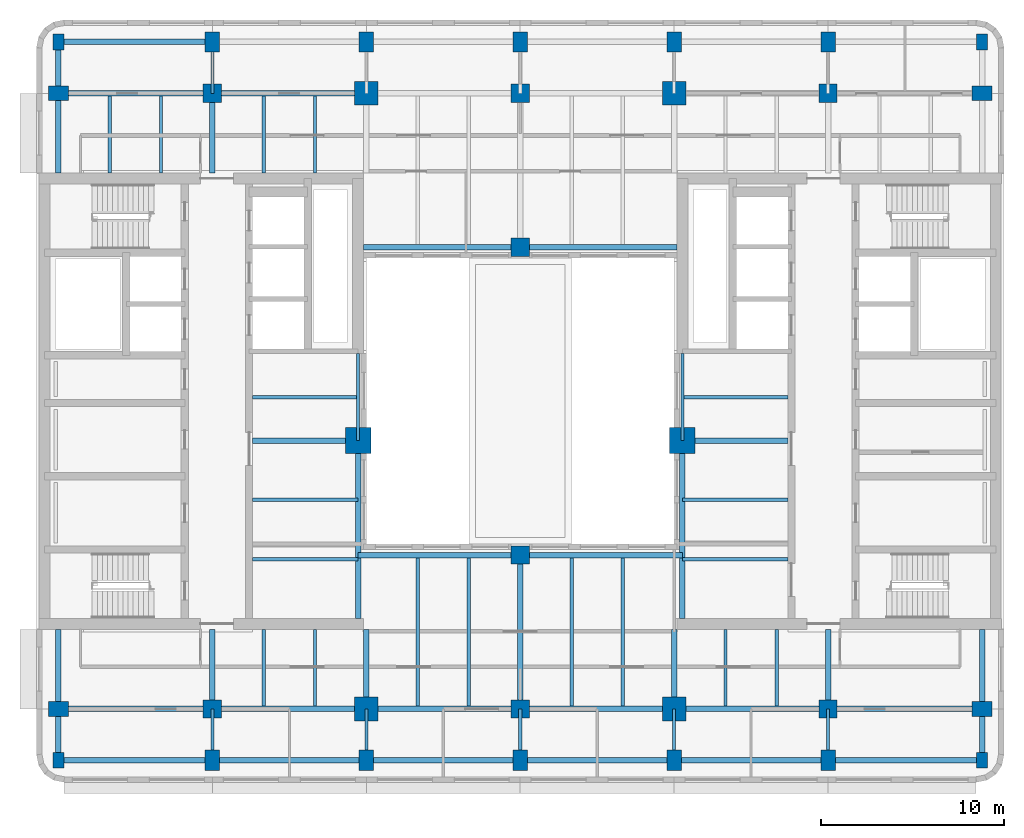
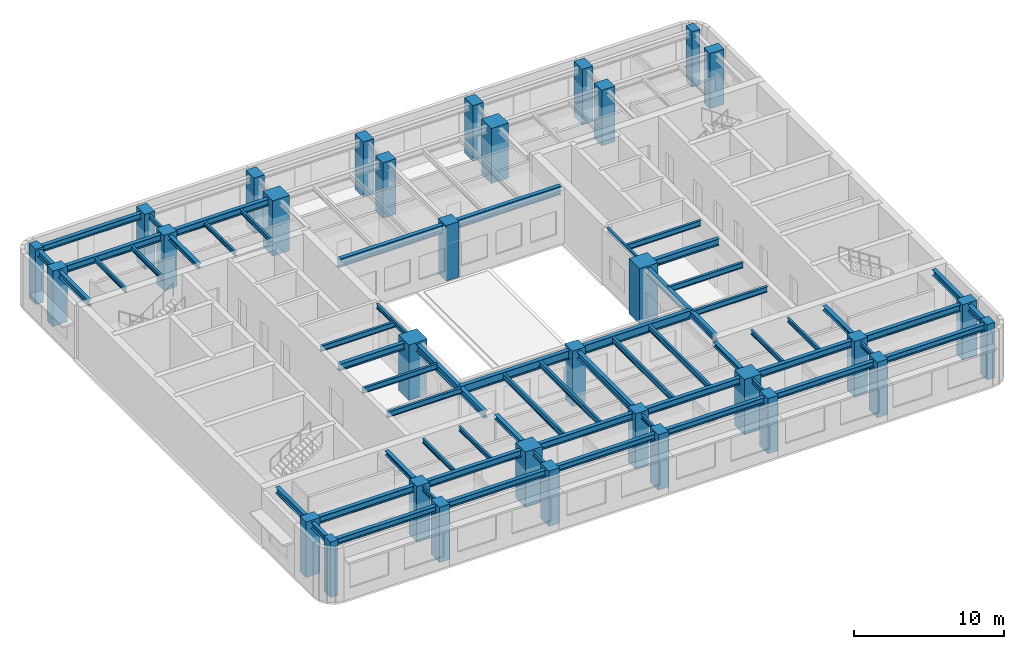
# One storey, part 1 of 11: 61 beams, 32 columns.
"""IFC4 building model written with IfcOpenShell, lengths in metres."""

from ifc_helpers import new_model, si_unit, direction, frame, origin, origin_2d, place, context, subcontext, project, spatial, rectangle, i_section, extrude, material, material_profile, profile_set, type_object, element, save


model = new_model("IFC4")

# Units and contexts
model_context = context("Model", 3, precision=1e-05, world=origin(), true_north=direction((0.0, 1.0)))
body_context = subcontext(model_context, "Body", "Model", "MODEL_VIEW")
ifc_project = project(units=[si_unit("LENGTHUNIT", "METRE"), si_unit("AREAUNIT", "SQUARE_METRE"), si_unit("VOLUMEUNIT", "CUBIC_METRE"), si_unit("PLANEANGLEUNIT", "RADIAN"), si_unit("MASSUNIT", "GRAM", prefix="KILO")], contexts=[model_context])

# Site, building, storey
site_placement = place(None, origin())
site = spatial("IfcSite", under=ifc_project, at=site_placement, CompositionType="ELEMENT")
building_placement = place(site_placement, origin())
building = spatial("IfcBuilding", under=site, at=building_placement, Name="Claustro Exchange Tower", CompositionType="ELEMENT")
storey_placement = place(building_placement, frame((0.0, 0.0, 254.699951171875)))
storey = spatial("IfcBuildingStorey", under=building, at=storey_placement, Name="L58", CompositionType="ELEMENT", Elevation=254.699951171875)

# Columns
ifc_material_1 = material(Name="Concrete HA-70 (C70/85)", Category="concrete")
ifc_material_profile_1 = material_profile(ifc_material_1, rectangle(XDim=1.39990234375, YDim=1.39990234375, at=origin_2d()), Name="RC 1400x1400")
ifc_profile_set_1 = profile_set([ifc_material_profile_1], Name="Concrete HA-70 (C70/85)")
column_type_1 = type_object("IfcColumnType", Name="C0 RC 1400x1400 HA-70 column", PredefinedType="COLUMN", material=ifc_profile_set_1)
for number, where, z_axis, x_axis, name in (
    (1, (16.35009765625, 23.050048828125, 0.0), (0.0, 0.0, 1.0), (1.0, 0.0, 0.0), "Column C0 2+7950/C+6250 L58"),
    (2, (34.050048828125, 23.050048828125, 0.0), (0.0, 0.0, 1.0), (1.0, 0.0, 0.0), "Column C0 5+450/C+6250 L58"),
):
    element("IfcColumn", number, at=place(storey_placement, frame(where, z_axis=z_axis, x_axis=x_axis)), inside=storey, type_object=column_type_1, Name=name, PredefinedType="COLUMN", context=body_context, shape_type="SweptSolid", body=[
        extrude(rectangle(XDim=1.39990234375, YDim=1.39990234375, at=origin_2d()), origin(), (0.0, 0.0, 1.0), 4.5),
    ])
ifc_material_2 = material(Name="Concrete HA-70 (C70/85)", Category="concrete")
ifc_material_profile_2 = material_profile(ifc_material_2, rectangle(XDim=1.0, YDim=1.0, at=origin_2d()), Name="RC 1000x1000")
ifc_profile_set_2 = profile_set([ifc_material_profile_2], Name="Concrete HA-70 (C70/85)")
column_type_2 = type_object("IfcColumnType", Name="C2 RC 1000x1000 HA-70 column", PredefinedType="COLUMN", material=ifc_profile_set_2)
for number, where, z_axis, x_axis, name in (
    (3, (8.39990234375, 8.39990234375, 0.0), (0.0, 0.0, 1.0), (1.0, 0.0, 0.0), "Column C2 2/B L58"),
    (4, (8.39990234375, 42.0, 0.0), (0.0, 0.0, 1.0), (1.0, 0.0, 0.0), "Column C2 2/F L58"),
    (5, (25.199951171875, 8.39990234375, 0.0), (0.0, 0.0, 1.0), (1.0, 0.0, 0.0), "Column C2 4/B L58"),
    (6, (25.199951171875, 42.0, 0.0), (0.0, 0.0, 1.0), (1.0, 0.0, 0.0), "Column C2 4/F L58"),
    (7, (25.199951171875, 16.800048828125, 0.0), (0.0, 0.0, 1.0), (1.0, 0.0, 0.0), "Column C2 4/C L58"),
    (8, (25.199951171875, 33.60009765625, 0.0), (0.0, 0.0, 1.0), (1.0, 0.0, 0.0), "Column C2 4/E L58"),
    (9, (42.0, 8.39990234375, 0.0), (0.0, 0.0, 1.0), (1.0, 0.0, 0.0), "Column C2 6/B L58"),
    (10, (42.0, 42.0, 0.0), (0.0, 0.0, 1.0), (1.0, 0.0, 0.0), "Column C2 6/F L58"),
):
    element("IfcColumn", number, at=place(storey_placement, frame(where, z_axis=z_axis, x_axis=x_axis)), inside=storey, type_object=column_type_2, Name=name, PredefinedType="COLUMN", context=body_context, shape_type="SweptSolid", body=[
        extrude(rectangle(XDim=1.0, YDim=1.0, at=origin_2d()), origin(), (0.0, 0.0, 1.0), 4.5),
    ])
ifc_material_3 = material(Name="Concrete HA-50 (C50/60)", Category="concrete")
ifc_material_profile_3 = material_profile(ifc_material_3, rectangle(XDim=0.800048828125, YDim=1.10009765625, at=origin_2d()), Name="RC 800x1100")
ifc_profile_set_3 = profile_set([ifc_material_profile_3], Name="Concrete HA-50 (C50/60)")
column_type_3 = type_object("IfcColumnType", Name="C23 RC 800x1100 HA-50 perimeter column", PredefinedType="COLUMN", material=ifc_profile_set_3)
for number, where, z_axis, x_axis, name in (
    (11, (0.0, 8.39990234375, 0.0), (0.0, 0.0, 1.0), (0.0, 1.0, 0.0), "Column C23 1/B L58"),
    (12, (0.0, 42.0, 0.0), (0.0, 0.0, 1.0), (0.0, 1.0, 0.0), "Column C23 1/F L58"),
    (13, (8.39990234375, 5.60009765625, 0.0), (0.0, 0.0, 1.0), (1.0, 0.0, 0.0), "Column C23 2/A+5600 L58"),
    (14, (8.39990234375, 44.800048828125, 0.0), (0.0, 0.0, 1.0), (1.0, 0.0, 0.0), "Column C23 2/F+2800 L58"),
    (15, (16.800048828125, 5.60009765625, 0.0), (0.0, 0.0, 1.0), (1.0, 0.0, 0.0), "Column C23 3/A+5600 L58"),
    (16, (16.800048828125, 44.800048828125, 0.0), (0.0, 0.0, 1.0), (1.0, 0.0, 0.0), "Column C23 3/F+2800 L58"),
    (17, (25.199951171875, 5.60009765625, 0.0), (0.0, 0.0, 1.0), (1.0, 0.0, 0.0), "Column C23 4/A+5600 L58"),
    (18, (25.199951171875, 44.800048828125, 0.0), (0.0, 0.0, 1.0), (1.0, 0.0, 0.0), "Column C23 4/F+2800 L58"),
    (19, (33.60009765625, 5.60009765625, 0.0), (0.0, 0.0, 1.0), (1.0, 0.0, 0.0), "Column C23 5/A+5600 L58"),
    (20, (33.60009765625, 44.800048828125, 0.0), (0.0, 0.0, 1.0), (1.0, 0.0, 0.0), "Column C23 5/F+2800 L58"),
    (21, (42.0, 5.60009765625, 0.0), (0.0, 0.0, 1.0), (1.0, 0.0, 0.0), "Column C23 6/A+5600 L58"),
    (22, (42.0, 44.800048828125, 0.0), (0.0, 0.0, 1.0), (1.0, 0.0, 0.0), "Column C23 6/F+2800 L58"),
    (23, (50.39990234375, 8.39990234375, 0.0), (0.0, 0.0, 1.0), (0.0, 1.0, 0.0), "Column C23 7/B L58"),
    (24, (50.39990234375, 42.0, 0.0), (0.0, 0.0, 1.0), (0.0, 1.0, 0.0), "Column C23 7/F L58"),
):
    element("IfcColumn", number, at=place(storey_placement, frame(where, z_axis=z_axis, x_axis=x_axis)), inside=storey, type_object=column_type_3, Name=name, PredefinedType="COLUMN", context=body_context, shape_type="SweptSolid", body=[
        extrude(rectangle(XDim=0.800048828125, YDim=1.10009765625, at=origin_2d()), origin(), (0.0, 0.0, 1.0), 4.5),
    ])
ifc_material_4 = material(Name="Concrete HA-50 (C50/60)", Category="concrete")
ifc_material_profile_4 = material_profile(ifc_material_4, rectangle(XDim=0.60009765625, YDim=0.85009765625, at=origin_2d()), Name="RC 600x850")
ifc_profile_set_4 = profile_set([ifc_material_profile_4], Name="Concrete HA-50 (C50/60)")
column_type_4 = type_object("IfcColumnType", Name="C25 RC 600x850 HA-50 corner column", PredefinedType="COLUMN", material=ifc_profile_set_4)
for number, where, z_axis, x_axis, name in (
    (25, (0.0, 5.60009765625, 0.0), (0.0, 0.0, 1.0), (1.0, 0.0, 0.0), "Column C25 1/A+5600 L58"),
    (26, (0.0, 44.800048828125, 0.0), (0.0, 0.0, 1.0), (1.0, 0.0, 0.0), "Column C25 1/F+2800 L58"),
    (27, (50.39990234375, 5.60009765625, 0.0), (0.0, 0.0, 1.0), (1.0, 0.0, 0.0), "Column C25 7/A+5600 L58"),
    (28, (50.39990234375, 44.800048828125, 0.0), (0.0, 0.0, 1.0), (1.0, 0.0, 0.0), "Column C25 7/F+2800 L58"),
):
    element("IfcColumn", number, at=place(storey_placement, frame(where, z_axis=z_axis, x_axis=x_axis)), inside=storey, type_object=column_type_4, Name=name, PredefinedType="COLUMN", context=body_context, shape_type="SweptSolid", body=[
        extrude(rectangle(XDim=0.60009765625, YDim=0.85009765625, at=origin_2d()), origin(), (0.0, 0.0, 1.0), 4.5),
    ])
ifc_material_5 = material(Name="Concrete HA-70 (C70/85)", Category="concrete")
ifc_material_profile_5 = material_profile(ifc_material_5, rectangle(XDim=1.300048828125, YDim=1.300048828125, at=origin_2d()), Name="RC 1300x1300")
ifc_profile_set_5 = profile_set([ifc_material_profile_5], Name="Concrete HA-70 (C70/85)")
column_type_5 = type_object("IfcColumnType", Name="C42 RC 1300x1300 HA-70 column", PredefinedType="COLUMN", material=ifc_profile_set_5)
for number, where, z_axis, x_axis, name in (
    (29, (16.800048828125, 8.39990234375, 0.0), (0.0, 0.0, 1.0), (1.0, 0.0, 0.0), "Column C42 3/B L58"),
    (30, (16.800048828125, 42.0, 0.0), (0.0, 0.0, 1.0), (1.0, 0.0, 0.0), "Column C42 3/F L58"),
    (31, (33.60009765625, 8.39990234375, 0.0), (0.0, 0.0, 1.0), (1.0, 0.0, 0.0), "Column C42 5/B L58"),
    (32, (33.60009765625, 42.0, 0.0), (0.0, 0.0, 1.0), (1.0, 0.0, 0.0), "Column C42 5/F L58"),
):
    element("IfcColumn", number, at=place(storey_placement, frame(where, z_axis=z_axis, x_axis=x_axis)), inside=storey, type_object=column_type_5, Name=name, PredefinedType="COLUMN", context=body_context, shape_type="SweptSolid", body=[
        extrude(rectangle(XDim=1.300048828125, YDim=1.300048828125, at=origin_2d()), origin(), (0.0, 0.0, 1.0), 4.5),
    ])

# Beams
ifc_material_6 = material(Name="Steel S355", Category="steel")
ifc_material_profile_6 = material_profile(ifc_material_6, i_section(OverallWidth=0.300048828125, OverallDepth=0.68994140625, WebThickness=0.014404296875, FlangeThickness=0.027099609375, FilletRadius=0.027099609375, at=origin_2d()), Name="HE 700 A")
ifc_profile_set_6 = profile_set([ifc_material_profile_6], Name="Steel S355")
beam_type_1 = type_object("IfcBeamType", Name="B13 HE 700 A light well edge girder", PredefinedType="BEAM", material=ifc_profile_set_6)
beam_1_placement = place(storey_placement, frame((16.35009765625, 16.800048828125, 4.005126953125), z_axis=(1.0, 0.0, 0.0), x_axis=(0.0, 1.0, 0.0)))
element("IfcBeam", 33, at=beam_1_placement, inside=storey, type_object=beam_type_1, Name="Beam B13 L59", PredefinedType="BEAM", context=body_context, shape_type="SweptSolid", body=[
    extrude(i_section(OverallWidth=0.300048828125, OverallDepth=0.68994140625, WebThickness=0.014404296875, FlangeThickness=0.027099609375, FilletRadius=0.027099609375, at=origin_2d()), origin(), (0.0, 0.0, 1.0), 8.849853515625),
])
beam_2_placement = place(storey_placement, frame((25.199951171875, 16.800048828125, 4.005126953125), z_axis=(1.0, 0.0, 0.0), x_axis=(0.0, 1.0, 0.0)))
element("IfcBeam", 34, at=beam_2_placement, inside=storey, type_object=beam_type_1, Name="Beam B13 L59", PredefinedType="BEAM", context=body_context, shape_type="SweptSolid", body=[
    extrude(i_section(OverallWidth=0.300048828125, OverallDepth=0.68994140625, WebThickness=0.014404296875, FlangeThickness=0.027099609375, FilletRadius=0.027099609375, at=origin_2d()), origin(), (0.0, 0.0, 1.0), 8.85009765625),
])
for number, where, z_axis, x_axis, name in (
    (35, (16.64990234375, 33.60009765625, 4.005126953125), (1.0, 0.0, 0.0), (0.0, 1.0, 0.0), "Beam B13 L59"),
    (36, (25.199951171875, 33.60009765625, 4.005126953125), (1.0, 0.0, 0.0), (0.0, 1.0, 0.0), "Beam B13 L59"),
):
    element("IfcBeam", number, at=place(storey_placement, frame(where, z_axis=z_axis, x_axis=x_axis)), inside=storey, type_object=beam_type_1, Name=name, PredefinedType="BEAM", context=body_context, shape_type="SweptSolid", body=[
        extrude(i_section(OverallWidth=0.300048828125, OverallDepth=0.68994140625, WebThickness=0.014404296875, FlangeThickness=0.027099609375, FilletRadius=0.027099609375, at=origin_2d()), origin(), (0.0, 0.0, 1.0), 8.550048828125),
    ])
ifc_material_7 = material(Name="Steel S355", Category="steel")
ifc_material_profile_7 = material_profile(ifc_material_7, i_section(OverallWidth=0.169921875, OverallDepth=0.360107421875, WebThickness=0.008056640625, FlangeThickness=0.0126953125, FilletRadius=0.01806640625, at=origin_2d()), Name="IPE 360")
ifc_profile_set_7 = profile_set([ifc_material_profile_7], Name="Steel S355")
beam_type_2 = type_object("IfcBeamType", Name="B16 IPE 360 short-span beam", PredefinedType="BEAM", material=ifc_profile_set_7)
beam_3_placement = place(storey_placement, frame((8.39990234375, 5.60009765625, 4.170166015625), z_axis=(0.0, 1.0, 0.0), x_axis=(-1.0, 0.0, 0.0)))
element("IfcBeam", 37, at=beam_3_placement, inside=storey, type_object=beam_type_2, Name="Beam B16 L59", PredefinedType="BEAM", context=body_context, shape_type="SweptSolid", body=[
    extrude(i_section(OverallWidth=0.169921875, OverallDepth=0.360107421875, WebThickness=0.008056640625, FlangeThickness=0.0126953125, FilletRadius=0.01806640625, at=origin_2d()), origin(), (0.0, 0.0, 1.0), 2.7998046875),
])
beam_4_placement = place(storey_placement, frame((8.39990234375, 42.0, 4.170166015625), z_axis=(0.0, 1.0, 0.0), x_axis=(-1.0, 0.0, 0.0)))
element("IfcBeam", 38, at=beam_4_placement, inside=storey, type_object=beam_type_2, Name="Beam B16 L59", PredefinedType="BEAM", context=body_context, shape_type="SweptSolid", body=[
    extrude(i_section(OverallWidth=0.169921875, OverallDepth=0.360107421875, WebThickness=0.008056640625, FlangeThickness=0.0126953125, FilletRadius=0.01806640625, at=origin_2d()), origin(), (0.0, 0.0, 1.0), 2.800048828125),
])
for number, where, z_axis, x_axis, name in (
    (39, (16.800048828125, 5.60009765625, 4.170166015625), (0.0, 1.0, 0.0), (-1.0, 0.0, 0.0), "Beam B16 L59"),
    (40, (25.199951171875, 5.60009765625, 4.170166015625), (0.0, 1.0, 0.0), (-1.0, 0.0, 0.0), "Beam B16 L59"),
    (41, (33.60009765625, 5.60009765625, 4.170166015625), (0.0, 1.0, 0.0), (-1.0, 0.0, 0.0), "Beam B16 L59"),
    (42, (42.0, 5.60009765625, 4.170166015625), (0.0, 1.0, 0.0), (-1.0, 0.0, 0.0), "Beam B16 L59"),
):
    element("IfcBeam", number, at=place(storey_placement, frame(where, z_axis=z_axis, x_axis=x_axis)), inside=storey, type_object=beam_type_2, Name=name, PredefinedType="BEAM", context=body_context, shape_type="SweptSolid", body=[
        extrude(i_section(OverallWidth=0.169921875, OverallDepth=0.360107421875, WebThickness=0.008056640625, FlangeThickness=0.0126953125, FilletRadius=0.01806640625, at=origin_2d()), origin(), (0.0, 0.0, 1.0), 2.7998046875),
    ])
for number, where, z_axis, x_axis, name in (
    (43, (2.800048828125, 37.64990234375, 4.170166015625), (0.0, 1.0, 0.0), (-1.0, 0.0, 0.0), "Beam B16 L59"),
    (44, (5.60009765625, 37.64990234375, 4.170166015625), (0.0, 1.0, 0.0), (-1.0, 0.0, 0.0), "Beam B16 L59"),
):
    element("IfcBeam", number, at=place(storey_placement, frame(where, z_axis=z_axis, x_axis=x_axis)), inside=storey, type_object=beam_type_2, Name=name, PredefinedType="BEAM", context=body_context, shape_type="SweptSolid", body=[
        extrude(i_section(OverallWidth=0.169921875, OverallDepth=0.360107421875, WebThickness=0.008056640625, FlangeThickness=0.0126953125, FilletRadius=0.01806640625, at=origin_2d()), origin(), (0.0, 0.0, 1.0), 4.2001953125),
    ])
for number, where, z_axis, x_axis, name in (
    (45, (11.199951171875, 8.550048828125, 4.170166015625), (0.0, 1.0, 0.0), (-1.0, 0.0, 0.0), "Beam B16 L59"),
    (46, (14.0, 8.550048828125, 4.170166015625), (0.0, 1.0, 0.0), (-1.0, 0.0, 0.0), "Beam B16 L59"),
):
    element("IfcBeam", number, at=place(storey_placement, frame(where, z_axis=z_axis, x_axis=x_axis)), inside=storey, type_object=beam_type_2, Name=name, PredefinedType="BEAM", context=body_context, shape_type="SweptSolid", body=[
        extrude(i_section(OverallWidth=0.169921875, OverallDepth=0.360107421875, WebThickness=0.008056640625, FlangeThickness=0.0126953125, FilletRadius=0.01806640625, at=origin_2d()), origin(), (0.0, 0.0, 1.0), 4.199951171875),
    ])
for number, where, z_axis, x_axis, name in (
    (47, (11.199951171875, 37.64990234375, 4.170166015625), (0.0, 1.0, 0.0), (-1.0, 0.0, 0.0), "Beam B16 L59"),
    (48, (14.0, 37.64990234375, 4.170166015625), (0.0, 1.0, 0.0), (-1.0, 0.0, 0.0), "Beam B16 L59"),
):
    element("IfcBeam", number, at=place(storey_placement, frame(where, z_axis=z_axis, x_axis=x_axis)), inside=storey, type_object=beam_type_2, Name=name, PredefinedType="BEAM", context=body_context, shape_type="SweptSolid", body=[
        extrude(i_section(OverallWidth=0.169921875, OverallDepth=0.360107421875, WebThickness=0.008056640625, FlangeThickness=0.0126953125, FilletRadius=0.01806640625, at=origin_2d()), origin(), (0.0, 0.0, 1.0), 4.2001953125),
    ])
for number, where, z_axis, x_axis, name in (
    (49, (36.39990234375, 8.550048828125, 4.170166015625), (0.0, 1.0, 0.0), (-1.0, 0.0, 0.0), "Beam B16 L59"),
    (50, (39.199951171875, 8.550048828125, 4.170166015625), (0.0, 1.0, 0.0), (-1.0, 0.0, 0.0), "Beam B16 L59"),
):
    element("IfcBeam", number, at=place(storey_placement, frame(where, z_axis=z_axis, x_axis=x_axis)), inside=storey, type_object=beam_type_2, Name=name, PredefinedType="BEAM", context=body_context, shape_type="SweptSolid", body=[
        extrude(i_section(OverallWidth=0.169921875, OverallDepth=0.360107421875, WebThickness=0.008056640625, FlangeThickness=0.0126953125, FilletRadius=0.01806640625, at=origin_2d()), origin(), (0.0, 0.0, 1.0), 4.199951171875),
    ])
for number, where, z_axis, x_axis, name in (
    (51, (16.35009765625, 23.050048828125, 4.170166015625), (0.0, 1.0, 0.0), (-1.0, 0.0, 0.0), "Beam B16 core step framing L59"),
    (52, (34.050048828125, 23.050048828125, 4.170166015625), (0.0, 1.0, 0.0), (-1.0, 0.0, 0.0), "Beam B16 core step framing L59"),
):
    element("IfcBeam", number, at=place(storey_placement, frame(where, z_axis=z_axis, x_axis=x_axis)), inside=storey, type_object=beam_type_2, Name=name, PredefinedType="BEAM", context=body_context, shape_type="SweptSolid", body=[
        extrude(i_section(OverallWidth=0.169921875, OverallDepth=0.360107421875, WebThickness=0.008056640625, FlangeThickness=0.0126953125, FilletRadius=0.01806640625, at=origin_2d()), origin(), (0.0, 0.0, 1.0), 4.75),
    ])
ifc_material_8 = material(Name="Steel S355", Category="steel")
ifc_material_profile_8 = material_profile(ifc_material_8, i_section(OverallWidth=0.300048828125, OverallDepth=0.550048828125, WebThickness=0.014892578125, FlangeThickness=0.029052734375, FilletRadius=0.027099609375, at=origin_2d()), Name="HE 550 B")
ifc_profile_set_8 = profile_set([ifc_material_profile_8], Name="Steel S355")
beam_type_3 = type_object("IfcBeamType", Name="B17 HE 550 B floor girder", PredefinedType="BEAM", material=ifc_profile_set_8)
beam_5_placement = place(storey_placement, frame((25.199951171875, 8.39990234375, 4.074951171875), z_axis=(0.0, 1.0, 0.0), x_axis=(-1.0, 0.0, 0.0)))
element("IfcBeam", 53, at=beam_5_placement, inside=storey, type_object=beam_type_3, Name="Beam B17 L59", PredefinedType="BEAM", context=body_context, shape_type="SweptSolid", body=[
    extrude(i_section(OverallWidth=0.300048828125, OverallDepth=0.550048828125, WebThickness=0.014892578125, FlangeThickness=0.029052734375, FilletRadius=0.027099609375, at=origin_2d()), origin(), (0.0, 0.0, 1.0), 8.400146484375),
])
beam_6_placement = place(storey_placement, frame((0.0, 8.39990234375, 4.074951171875), z_axis=(1.0, 0.0, 0.0), x_axis=(0.0, 1.0, 0.0)))
element("IfcBeam", 54, at=beam_6_placement, inside=storey, type_object=beam_type_3, Name="Beam B17 L59", PredefinedType="BEAM", context=body_context, shape_type="SweptSolid", body=[
    extrude(i_section(OverallWidth=0.300048828125, OverallDepth=0.550048828125, WebThickness=0.014892578125, FlangeThickness=0.029052734375, FilletRadius=0.027099609375, at=origin_2d()), origin(), (0.0, 0.0, 1.0), 8.39990234375),
])
beam_7_placement = place(storey_placement, frame((8.39990234375, 8.39990234375, 4.074951171875), z_axis=(1.0, 0.0, 0.0), x_axis=(0.0, 1.0, 0.0)))
element("IfcBeam", 55, at=beam_7_placement, inside=storey, type_object=beam_type_3, Name="Beam B17 L59", PredefinedType="BEAM", context=body_context, shape_type="SweptSolid", body=[
    extrude(i_section(OverallWidth=0.300048828125, OverallDepth=0.550048828125, WebThickness=0.014892578125, FlangeThickness=0.029052734375, FilletRadius=0.027099609375, at=origin_2d()), origin(), (0.0, 0.0, 1.0), 8.400146484375),
])
beam_8_placement = place(storey_placement, frame((16.800048828125, 8.39990234375, 4.074951171875), z_axis=(1.0, 0.0, 0.0), x_axis=(0.0, 1.0, 0.0)))
element("IfcBeam", 56, at=beam_8_placement, inside=storey, type_object=beam_type_3, Name="Beam B17 L59", PredefinedType="BEAM", context=body_context, shape_type="SweptSolid", body=[
    extrude(i_section(OverallWidth=0.300048828125, OverallDepth=0.550048828125, WebThickness=0.014892578125, FlangeThickness=0.029052734375, FilletRadius=0.027099609375, at=origin_2d()), origin(), (0.0, 0.0, 1.0), 8.39990234375),
])
beam_9_placement = place(storey_placement, frame((25.199951171875, 8.39990234375, 4.074951171875), z_axis=(1.0, 0.0, 0.0), x_axis=(0.0, 1.0, 0.0)))
element("IfcBeam", 57, at=beam_9_placement, inside=storey, type_object=beam_type_3, Name="Beam B17 L59", PredefinedType="BEAM", context=body_context, shape_type="SweptSolid", body=[
    extrude(i_section(OverallWidth=0.300048828125, OverallDepth=0.550048828125, WebThickness=0.014892578125, FlangeThickness=0.029052734375, FilletRadius=0.027099609375, at=origin_2d()), origin(), (0.0, 0.0, 1.0), 8.400146484375),
])
for number, where, z_axis, x_axis, name in (
    (58, (33.60009765625, 8.39990234375, 4.074951171875), (1.0, 0.0, 0.0), (0.0, 1.0, 0.0), "Beam B17 L59"),
    (59, (42.0, 8.39990234375, 4.074951171875), (1.0, 0.0, 0.0), (0.0, 1.0, 0.0), "Beam B17 L59"),
    (60, (0.0, 42.0, 4.074951171875), (1.0, 0.0, 0.0), (0.0, 1.0, 0.0), "Beam B17 L59"),
):
    element("IfcBeam", number, at=place(storey_placement, frame(where, z_axis=z_axis, x_axis=x_axis)), inside=storey, type_object=beam_type_3, Name=name, PredefinedType="BEAM", context=body_context, shape_type="SweptSolid", body=[
        extrude(i_section(OverallWidth=0.300048828125, OverallDepth=0.550048828125, WebThickness=0.014892578125, FlangeThickness=0.029052734375, FilletRadius=0.027099609375, at=origin_2d()), origin(), (0.0, 0.0, 1.0), 8.39990234375),
    ])
beam_10_placement = place(storey_placement, frame((8.39990234375, 42.0, 4.074951171875), z_axis=(1.0, 0.0, 0.0), x_axis=(0.0, 1.0, 0.0)))
element("IfcBeam", 61, at=beam_10_placement, inside=storey, type_object=beam_type_3, Name="Beam B17 L59", PredefinedType="BEAM", context=body_context, shape_type="SweptSolid", body=[
    extrude(i_section(OverallWidth=0.300048828125, OverallDepth=0.550048828125, WebThickness=0.014892578125, FlangeThickness=0.029052734375, FilletRadius=0.027099609375, at=origin_2d()), origin(), (0.0, 0.0, 1.0), 8.400146484375),
])
beam_11_placement = place(storey_placement, frame((10.60009765625, 23.050048828125, 4.074951171875), z_axis=(1.0, 0.0, 0.0), x_axis=(0.0, 1.0, 0.0)))
element("IfcBeam", 62, at=beam_11_placement, inside=storey, type_object=beam_type_3, Name="Beam B17 core step framing L59", PredefinedType="BEAM", context=body_context, shape_type="SweptSolid", body=[
    extrude(i_section(OverallWidth=0.300048828125, OverallDepth=0.550048828125, WebThickness=0.014892578125, FlangeThickness=0.029052734375, FilletRadius=0.027099609375, at=origin_2d()), origin(), (0.0, 0.0, 1.0), 5.75),
])
beam_12_placement = place(storey_placement, frame((16.35009765625, 13.35009765625, 4.074951171875), z_axis=(0.0, 1.0, 0.0), x_axis=(-1.0, 0.0, 0.0)))
element("IfcBeam", 63, at=beam_12_placement, inside=storey, type_object=beam_type_3, Name="Beam B17 core step framing L59", PredefinedType="BEAM", context=body_context, shape_type="SweptSolid", body=[
    extrude(i_section(OverallWidth=0.300048828125, OverallDepth=0.550048828125, WebThickness=0.014892578125, FlangeThickness=0.029052734375, FilletRadius=0.027099609375, at=origin_2d()), origin(), (0.0, 0.0, 1.0), 9.699951171875),
])
beam_13_placement = place(storey_placement, frame((34.050048828125, 23.050048828125, 4.074951171875), z_axis=(1.0, 0.0, 0.0), x_axis=(0.0, 1.0, 0.0)))
element("IfcBeam", 64, at=beam_13_placement, inside=storey, type_object=beam_type_3, Name="Beam B17 core step framing L59", PredefinedType="BEAM", context=body_context, shape_type="SweptSolid", body=[
    extrude(i_section(OverallWidth=0.300048828125, OverallDepth=0.550048828125, WebThickness=0.014892578125, FlangeThickness=0.029052734375, FilletRadius=0.027099609375, at=origin_2d()), origin(), (0.0, 0.0, 1.0), 5.75),
])
beam_14_placement = place(storey_placement, frame((34.050048828125, 13.35009765625, 4.074951171875), z_axis=(0.0, 1.0, 0.0), x_axis=(-1.0, 0.0, 0.0)))
element("IfcBeam", 65, at=beam_14_placement, inside=storey, type_object=beam_type_3, Name="Beam B17 core step framing L59", PredefinedType="BEAM", context=body_context, shape_type="SweptSolid", body=[
    extrude(i_section(OverallWidth=0.300048828125, OverallDepth=0.550048828125, WebThickness=0.014892578125, FlangeThickness=0.029052734375, FilletRadius=0.027099609375, at=origin_2d()), origin(), (0.0, 0.0, 1.0), 9.699951171875),
])
ifc_material_9 = material(Name="Steel S355", Category="steel")
ifc_material_profile_9 = material_profile(ifc_material_9, i_section(OverallWidth=0.300048828125, OverallDepth=0.360107421875, WebThickness=0.012451171875, FlangeThickness=0.0224609375, FilletRadius=0.027099609375, at=origin_2d()), Name="HE 360 B")
ifc_profile_set_9 = profile_set([ifc_material_profile_9], Name="Steel S355")
beam_type_4 = type_object("IfcBeamType", Name="B29 HE 360 B column to core link beam", PredefinedType="BEAM", material=ifc_profile_set_9)
for number, where, z_axis, x_axis, name in (
    (66, (8.39990234375, 8.39990234375, 4.170166015625), (0.0, 1.0, 0.0), (-1.0, 0.0, 0.0), "Beam B29 L59"),
    (67, (8.39990234375, 37.64990234375, 4.170166015625), (0.0, 1.0, 0.0), (-1.0, 0.0, 0.0), "Beam B29 L59"),
    (68, (16.800048828125, 8.39990234375, 4.170166015625), (0.0, 1.0, 0.0), (-1.0, 0.0, 0.0), "Beam B29 L59"),
    (69, (33.60009765625, 8.39990234375, 4.170166015625), (0.0, 1.0, 0.0), (-1.0, 0.0, 0.0), "Beam B29 L59"),
    (70, (42.0, 8.39990234375, 4.170166015625), (0.0, 1.0, 0.0), (-1.0, 0.0, 0.0), "Beam B29 L59"),
):
    element("IfcBeam", number, at=place(storey_placement, frame(where, z_axis=z_axis, x_axis=x_axis)), inside=storey, type_object=beam_type_4, Name=name, PredefinedType="BEAM", context=body_context, shape_type="SweptSolid", body=[
        extrude(i_section(OverallWidth=0.300048828125, OverallDepth=0.360107421875, WebThickness=0.012451171875, FlangeThickness=0.0224609375, FilletRadius=0.027099609375, at=origin_2d()), origin(), (0.0, 0.0, 1.0), 4.35009765625),
    ])
ifc_material_10 = material(Name="Steel S355", Category="steel")
ifc_material_profile_10 = material_profile(ifc_material_10, i_section(OverallWidth=0.18994140625, OverallDepth=0.449951171875, WebThickness=0.009521484375, FlangeThickness=0.0146484375, FilletRadius=0.02099609375, at=origin_2d()), Name="IPE 450")
ifc_profile_set_10 = profile_set([ifc_material_profile_10], Name="Steel S355")
beam_type_5 = type_object("IfcBeamType", Name="B8 IPE 450 secondary beam", PredefinedType="BEAM", material=ifc_profile_set_10)
for number, where, z_axis, x_axis, name in (
    (71, (19.60009765625, 8.550048828125, 4.125), (0.0, 1.0, 0.0), (-1.0, 0.0, 0.0), "Beam B8 L59"),
    (72, (22.39990234375, 8.550048828125, 4.125), (0.0, 1.0, 0.0), (-1.0, 0.0, 0.0), "Beam B8 L59"),
    (73, (28.0, 8.550048828125, 4.125), (0.0, 1.0, 0.0), (-1.0, 0.0, 0.0), "Beam B8 L59"),
    (74, (30.800048828125, 8.550048828125, 4.125), (0.0, 1.0, 0.0), (-1.0, 0.0, 0.0), "Beam B8 L59"),
):
    element("IfcBeam", number, at=place(storey_placement, frame(where, z_axis=z_axis, x_axis=x_axis)), inside=storey, type_object=beam_type_5, Name=name, PredefinedType="BEAM", context=body_context, shape_type="SweptSolid", body=[
        extrude(i_section(OverallWidth=0.18994140625, OverallDepth=0.449951171875, WebThickness=0.009521484375, FlangeThickness=0.0146484375, FilletRadius=0.02099609375, at=origin_2d()), origin(), (0.0, 0.0, 1.0), 8.099853515625),
    ])
for number, where, z_axis, x_axis, name in (
    (75, (10.60009765625, 16.583251953125, 4.125), (1.0, 0.0, 0.0), (0.0, 1.0, 0.0), "Beam B8 core step framing L59"),
    (76, (10.60009765625, 19.816650390625, 4.125), (1.0, 0.0, 0.0), (0.0, 1.0, 0.0), "Beam B8 core step framing L59"),
    (77, (10.60009765625, 25.425048828125, 4.125), (1.0, 0.0, 0.0), (0.0, 1.0, 0.0), "Beam B8 core step framing L59"),
    (78, (34.050048828125, 16.583251953125, 4.125), (1.0, 0.0, 0.0), (0.0, 1.0, 0.0), "Beam B8 core step framing L59"),
    (79, (34.050048828125, 19.816650390625, 4.125), (1.0, 0.0, 0.0), (0.0, 1.0, 0.0), "Beam B8 core step framing L59"),
    (80, (34.050048828125, 25.425048828125, 4.125), (1.0, 0.0, 0.0), (0.0, 1.0, 0.0), "Beam B8 core step framing L59"),
):
    element("IfcBeam", number, at=place(storey_placement, frame(where, z_axis=z_axis, x_axis=x_axis)), inside=storey, type_object=beam_type_5, Name=name, PredefinedType="BEAM", context=body_context, shape_type="SweptSolid", body=[
        extrude(i_section(OverallWidth=0.18994140625, OverallDepth=0.449951171875, WebThickness=0.009521484375, FlangeThickness=0.0146484375, FilletRadius=0.02099609375, at=origin_2d()), origin(), (0.0, 0.0, 1.0), 5.75),
    ])
ifc_material_11 = material(Name="Steel S355", Category="steel")
ifc_material_profile_11 = material_profile(ifc_material_11, i_section(OverallWidth=0.300048828125, OverallDepth=0.489990234375, WebThickness=0.011962890625, FlangeThickness=0.02294921875, FilletRadius=0.027099609375, at=origin_2d()), Name="HE 500 A")
ifc_profile_set_11 = profile_set([ifc_material_profile_11], Name="Steel S355")
beam_type_6 = type_object("IfcBeamType", Name="B9 HE 500 A spandrel edge girder", PredefinedType="SPANDREL", material=ifc_profile_set_11)
beam_15_placement = place(storey_placement, frame((0.0, 5.60009765625, 4.10498046875), z_axis=(0.0, 1.0, 0.0), x_axis=(-1.0, 0.0, 0.0)))
element("IfcBeam", 81, at=beam_15_placement, inside=storey, type_object=beam_type_6, Name="Beam B9 L59", PredefinedType="SPANDREL", context=body_context, shape_type="SweptSolid", body=[
    extrude(i_section(OverallWidth=0.300048828125, OverallDepth=0.489990234375, WebThickness=0.011962890625, FlangeThickness=0.02294921875, FilletRadius=0.027099609375, at=origin_2d()), origin(), (0.0, 0.0, 1.0), 2.7998046875),
])
for number, where, z_axis, x_axis, name in (
    (82, (0.0, 8.39990234375, 4.10498046875), (0.0, 1.0, 0.0), (-1.0, 0.0, 0.0), "Beam B9 L59"),
    (83, (0.0, 37.64990234375, 4.10498046875), (0.0, 1.0, 0.0), (-1.0, 0.0, 0.0), "Beam B9 L59"),
):
    element("IfcBeam", number, at=place(storey_placement, frame(where, z_axis=z_axis, x_axis=x_axis)), inside=storey, type_object=beam_type_6, Name=name, PredefinedType="SPANDREL", context=body_context, shape_type="SweptSolid", body=[
        extrude(i_section(OverallWidth=0.300048828125, OverallDepth=0.489990234375, WebThickness=0.011962890625, FlangeThickness=0.02294921875, FilletRadius=0.027099609375, at=origin_2d()), origin(), (0.0, 0.0, 1.0), 4.35009765625),
    ])
beam_16_placement = place(storey_placement, frame((0.0, 42.0, 4.10498046875), z_axis=(0.0, 1.0, 0.0), x_axis=(-1.0, 0.0, 0.0)))
element("IfcBeam", 84, at=beam_16_placement, inside=storey, type_object=beam_type_6, Name="Beam B9 L59", PredefinedType="SPANDREL", context=body_context, shape_type="SweptSolid", body=[
    extrude(i_section(OverallWidth=0.300048828125, OverallDepth=0.489990234375, WebThickness=0.011962890625, FlangeThickness=0.02294921875, FilletRadius=0.027099609375, at=origin_2d()), origin(), (0.0, 0.0, 1.0), 2.800048828125),
])
beam_17_placement = place(storey_placement, frame((50.39990234375, 5.60009765625, 4.10498046875), z_axis=(0.0, 1.0, 0.0), x_axis=(-1.0, 0.0, 0.0)))
element("IfcBeam", 85, at=beam_17_placement, inside=storey, type_object=beam_type_6, Name="Beam B9 L59", PredefinedType="SPANDREL", context=body_context, shape_type="SweptSolid", body=[
    extrude(i_section(OverallWidth=0.300048828125, OverallDepth=0.489990234375, WebThickness=0.011962890625, FlangeThickness=0.02294921875, FilletRadius=0.027099609375, at=origin_2d()), origin(), (0.0, 0.0, 1.0), 2.7998046875),
])
beam_18_placement = place(storey_placement, frame((50.39990234375, 8.39990234375, 4.10498046875), z_axis=(0.0, 1.0, 0.0), x_axis=(-1.0, 0.0, 0.0)))
element("IfcBeam", 86, at=beam_18_placement, inside=storey, type_object=beam_type_6, Name="Beam B9 L59", PredefinedType="SPANDREL", context=body_context, shape_type="SweptSolid", body=[
    extrude(i_section(OverallWidth=0.300048828125, OverallDepth=0.489990234375, WebThickness=0.011962890625, FlangeThickness=0.02294921875, FilletRadius=0.027099609375, at=origin_2d()), origin(), (0.0, 0.0, 1.0), 4.35009765625),
])
beam_19_placement = place(storey_placement, frame((0.0, 5.60009765625, 4.10498046875), z_axis=(1.0, 0.0, 0.0), x_axis=(0.0, 1.0, 0.0)))
element("IfcBeam", 87, at=beam_19_placement, inside=storey, type_object=beam_type_6, Name="Beam B9 L59", PredefinedType="SPANDREL", context=body_context, shape_type="SweptSolid", body=[
    extrude(i_section(OverallWidth=0.300048828125, OverallDepth=0.489990234375, WebThickness=0.011962890625, FlangeThickness=0.02294921875, FilletRadius=0.027099609375, at=origin_2d()), origin(), (0.0, 0.0, 1.0), 8.39990234375),
])
beam_20_placement = place(storey_placement, frame((8.39990234375, 5.60009765625, 4.10498046875), z_axis=(1.0, 0.0, 0.0), x_axis=(0.0, 1.0, 0.0)))
element("IfcBeam", 88, at=beam_20_placement, inside=storey, type_object=beam_type_6, Name="Beam B9 L59", PredefinedType="SPANDREL", context=body_context, shape_type="SweptSolid", body=[
    extrude(i_section(OverallWidth=0.300048828125, OverallDepth=0.489990234375, WebThickness=0.011962890625, FlangeThickness=0.02294921875, FilletRadius=0.027099609375, at=origin_2d()), origin(), (0.0, 0.0, 1.0), 8.400146484375),
])
beam_21_placement = place(storey_placement, frame((16.800048828125, 5.60009765625, 4.10498046875), z_axis=(1.0, 0.0, 0.0), x_axis=(0.0, 1.0, 0.0)))
element("IfcBeam", 89, at=beam_21_placement, inside=storey, type_object=beam_type_6, Name="Beam B9 L59", PredefinedType="SPANDREL", context=body_context, shape_type="SweptSolid", body=[
    extrude(i_section(OverallWidth=0.300048828125, OverallDepth=0.489990234375, WebThickness=0.011962890625, FlangeThickness=0.02294921875, FilletRadius=0.027099609375, at=origin_2d()), origin(), (0.0, 0.0, 1.0), 8.39990234375),
])
beam_22_placement = place(storey_placement, frame((25.199951171875, 5.60009765625, 4.10498046875), z_axis=(1.0, 0.0, 0.0), x_axis=(0.0, 1.0, 0.0)))
element("IfcBeam", 90, at=beam_22_placement, inside=storey, type_object=beam_type_6, Name="Beam B9 L59", PredefinedType="SPANDREL", context=body_context, shape_type="SweptSolid", body=[
    extrude(i_section(OverallWidth=0.300048828125, OverallDepth=0.489990234375, WebThickness=0.011962890625, FlangeThickness=0.02294921875, FilletRadius=0.027099609375, at=origin_2d()), origin(), (0.0, 0.0, 1.0), 8.400146484375),
])
for number, where, z_axis, x_axis, name in (
    (91, (33.60009765625, 5.60009765625, 4.10498046875), (1.0, 0.0, 0.0), (0.0, 1.0, 0.0), "Beam B9 L59"),
    (92, (42.0, 5.60009765625, 4.10498046875), (1.0, 0.0, 0.0), (0.0, 1.0, 0.0), "Beam B9 L59"),
    (93, (0.0, 44.800048828125, 4.10498046875), (1.0, 0.0, 0.0), (0.0, 1.0, 0.0), "Beam B9 L59"),
):
    element("IfcBeam", number, at=place(storey_placement, frame(where, z_axis=z_axis, x_axis=x_axis)), inside=storey, type_object=beam_type_6, Name=name, PredefinedType="SPANDREL", context=body_context, shape_type="SweptSolid", body=[
        extrude(i_section(OverallWidth=0.300048828125, OverallDepth=0.489990234375, WebThickness=0.011962890625, FlangeThickness=0.02294921875, FilletRadius=0.027099609375, at=origin_2d()), origin(), (0.0, 0.0, 1.0), 8.39990234375),
    ])

save(model, "model.ifc")
